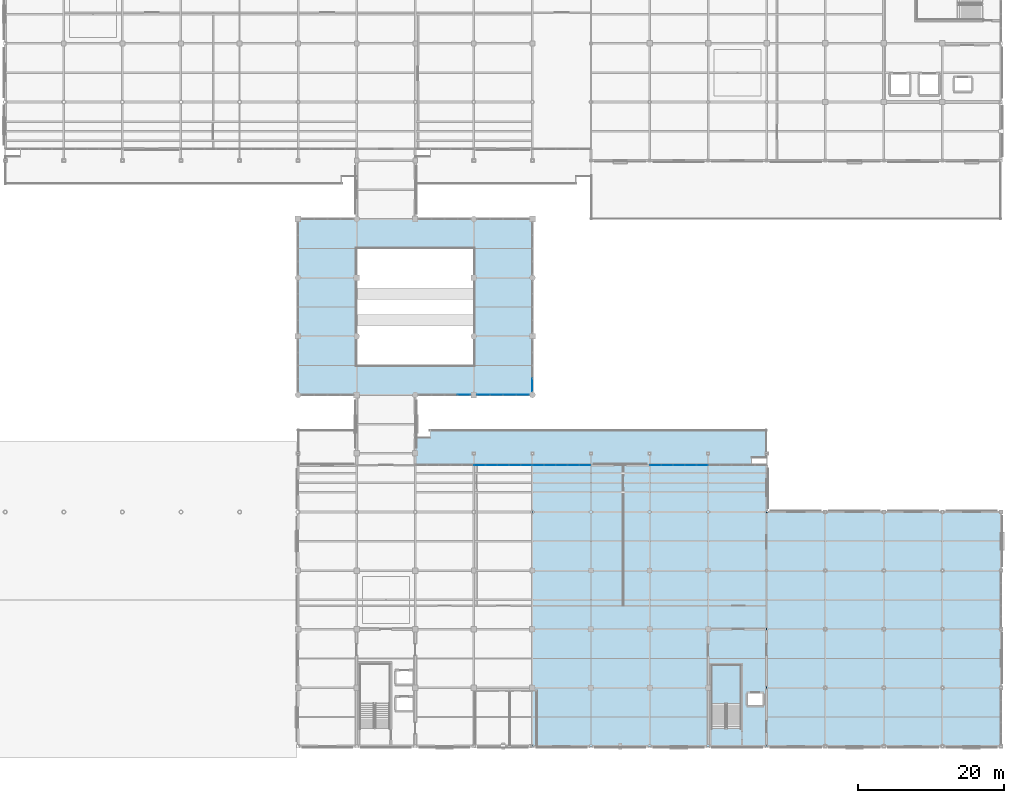
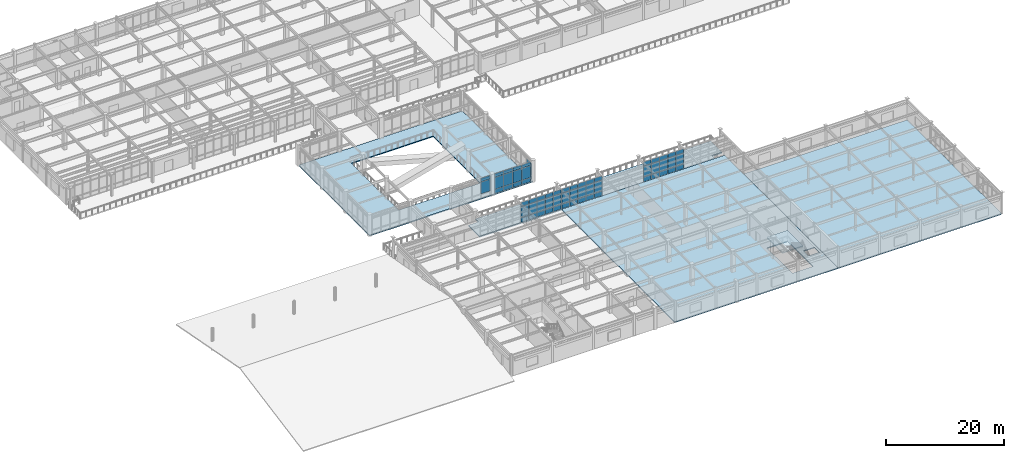
# One storey, part 75 of 111: 61 plates, 5 slabs, 7 elements without a shape of their own.
"""IFC4 building model written with IfcOpenShell, lengths in metres."""

import ifcopenshell
import ifcopenshell.guid

model = None  # the IFC model being written
_history = None  # IfcOwnerHistory: only IFC2X3 demands one
_inside = {}  # id of a spatial element -> (the spatial element, [elements in it])
_under = {}  # id of a project, library or spatial element -> (it, [spatial elements below it])
_declared = {}  # id of a project -> (the project, [libraries it declares])
_typed = {}  # id of a type object -> (the type object, [elements of that type])
_made_of = {}  # id of a material, layer set ... -> (it, [elements and type objects made of it])


def new_model(schema):
    """Start an empty IFC model of exactly this schema.

    Asked for "IFC4X3", IfcOpenShell would pick the latest addendum, in which some entities
    have other attributes; the version numbers below select the first issue.
    IFC2X3 requires an IfcOwnerHistory on every rooted entity: one is made here for all.
    """
    global model, _history
    if schema == "IFC4X3":
        model = ifcopenshell.file(schema_version=(4, 3, 0, 0))
    else:
        model = ifcopenshell.file(schema=schema)
    _inside.clear()
    _under.clear()
    _declared.clear()
    _typed.clear()
    _made_of.clear()
    _history = None
    if model.schema == "IFC2X3":
        org = make("IfcOrganization", Name="unknown")
        user = make(
            "IfcPersonAndOrganization",
            ThePerson=make("IfcPerson", FamilyName="unknown"),
            TheOrganization=org,
        )
        app = make(
            "IfcApplication",
            ApplicationDeveloper=org,
            Version="unknown",
            ApplicationFullName="unknown",
            ApplicationIdentifier="unknown",
        )
        _history = make(
            "IfcOwnerHistory",
            OwningUser=user,
            OwningApplication=app,
            ChangeAction="ADDED",
            CreationDate=0,
        )
    return model


def make(cls, **values):
    """One entity of the class cls with the attributes given. An attribute that is None is left unset."""
    return model.create_entity(
        cls, **{name: value for name, value in values.items() if value is not None}
    )


def rooted(cls, **values):
    """An entity with a GlobalId (a new one), such as an element, a storey or a relation."""
    return make(cls, GlobalId=ifcopenshell.guid.new(), OwnerHistory=_history, **values)


def si_unit(unit_type, name, prefix=None):
    """IfcSIUnit, for example si_unit("LENGTHUNIT", "METRE", prefix="MILLI")."""
    return make("IfcSIUnit", UnitType=unit_type, Prefix=prefix, Name=name)


def assignment(units):
    """IfcUnitAssignment: the units of a project."""
    return None if units is None else make("IfcUnitAssignment", Units=units)


def point(xyz):
    """IfcCartesianPoint."""
    return None if xyz is None else make("IfcCartesianPoint", Coordinates=xyz)


def direction(xyz):
    """IfcDirection."""
    return None if xyz is None else make("IfcDirection", DirectionRatios=xyz)


def frame(location, z_axis=None, x_axis=None):
    """IfcAxis2Placement3D, a coordinate frame: its origin and axes. An axis left out is left unset."""
    return make(
        "IfcAxis2Placement3D",
        Location=point(location),
        Axis=direction(z_axis),
        RefDirection=direction(x_axis),
    )


def frame_2d(location, x_axis=None):
    """IfcAxis2Placement2D, a coordinate frame in the plane: its origin and x axis."""
    return make(
        "IfcAxis2Placement2D", Location=point(location), RefDirection=direction(x_axis)
    )


def origin():
    """The frame at (0, 0, 0) with its axes left unset."""
    return frame((0.0, 0.0, 0.0))


def origin_2d():
    """The frame at (0, 0) in the plane with its x axis left unset."""
    return frame_2d((0.0, 0.0))


def place(relative_to, where):
    """IfcLocalPlacement: puts the frame where relative to a parent placement (None: the world)."""
    return make(
        "IfcLocalPlacement", PlacementRelTo=relative_to, RelativePlacement=where
    )


def context(
    kind, dimensions, precision=None, world=None, true_north=None, identifier=None
):
    """IfcGeometricRepresentationContext, for example the 3D "Model" context."""
    return make(
        "IfcGeometricRepresentationContext",
        ContextIdentifier=identifier,
        ContextType=kind,
        CoordinateSpaceDimension=dimensions,
        Precision=precision,
        WorldCoordinateSystem=world,
        TrueNorth=true_north,
    )


def subcontext(parent, identifier, kind, view, scale=None):
    """IfcGeometricRepresentationSubContext, for example "Body" below "Model"."""
    return make(
        "IfcGeometricRepresentationSubContext",
        ContextIdentifier=identifier,
        ContextType=kind,
        ParentContext=parent,
        TargetScale=scale,
        TargetView=view,
    )


def project(units=None, contexts=None):
    """IfcProject with its units and contexts."""
    return rooted(
        "IfcProject",
        Name="project",
        RepresentationContexts=contexts,
        UnitsInContext=assignment(units),
    )


def spatial(cls, under=None, at=None, **own):
    """A site, building, storey or space (cls), placed at a placement, below another one or the project."""
    s = rooted(cls, ObjectPlacement=at, **own)
    if under is not None:
        _under.setdefault(under.id(), (under, []))[1].append(s)
    return s


def polyline(points):
    """IfcPolyline through the points."""
    return make("IfcPolyline", Points=[point(p) for p in points])


def profile(cls, at=None, kind="AREA", **sizes):
    """A parametric profile (cls). Its sizes go by their IFC names, for example OverallWidth=200.0."""
    return make(cls, ProfileType=kind, Position=at, **sizes)


def rectangle(**sizes):
    """IfcRectangleProfileDef."""
    return profile("IfcRectangleProfileDef", **sizes)


def outline(outer, holes=None, kind="AREA"):
    """IfcArbitraryClosedProfileDef: a profile drawn as a closed curve; with holes, ...WithVoids."""
    if holes is None:
        return make("IfcArbitraryClosedProfileDef", ProfileType=kind, OuterCurve=outer)
    return make(
        "IfcArbitraryProfileDefWithVoids",
        ProfileType=kind,
        OuterCurve=outer,
        InnerCurves=holes,
    )


def extrude(swept, where, along, depth):
    """IfcExtrudedAreaSolid: the profile swept, set in the frame where, extruded along a direction by depth."""
    return make(
        "IfcExtrudedAreaSolid",
        SweptArea=swept,
        Position=where,
        ExtrudedDirection=direction(along),
        Depth=depth,
    )


def shape(context_of_items, identifier, shape_type, items):
    """IfcShapeRepresentation: the items that make up one representation, for example the "Body"."""
    return make(
        "IfcShapeRepresentation",
        ContextOfItems=context_of_items,
        RepresentationIdentifier=identifier,
        RepresentationType=shape_type,
        Items=items,
    )


def material(Name=None, Category=None):
    """IfcMaterial."""
    return make("IfcMaterial", Name=Name, Category=Category)


def layer(
    of_material, thickness, ventilated=None, Name=None, Category=None, Priority=None
):
    """IfcMaterialLayer: one layer of a wall or slab, of a material (None: an air gap)."""
    return make(
        "IfcMaterialLayer",
        Material=of_material,
        LayerThickness=thickness,
        IsVentilated=ventilated,
        Name=Name,
        Category=Category,
        Priority=Priority,
    )


def layer_set(layers, Name=None):
    """IfcMaterialLayerSet."""
    return make("IfcMaterialLayerSet", MaterialLayers=layers, LayerSetName=Name)


def made_of(thing, what):
    """Note that an element or type object is made of a material, layer set ...; save() writes the relation."""
    if what is not None:
        _made_of.setdefault(what.id(), (what, []))[1].append(thing)
    return thing


def type_object(cls, material=None, **own):
    """A type object (cls), such as IfcWallType, which elements share."""
    return made_of(rooted(cls, **own), material)


def element(
    cls,
    number,
    at=None,
    inside=None,
    cuts=None,
    type_object=None,
    material=None,
    context=None,
    identifier="Body",
    shape_type=None,
    held_by="IfcProductDefinitionShape",
    body=None,
    shapes=None,
    **own,
):
    """One element of the class cls, such as IfcWall. Its Tag is "e" and its number.

    at: its placement. inside: the storey or other place that contains it. cuts: it is an
    opening in that element (IfcRelVoidsElement). A single representation is given by context,
    identifier, shape_type and body (its items); several are given by shapes. held_by: the class
    of the entity that holds the representations. save() writes the other relations.
    """
    e = rooted(cls, Tag="e%d" % number, ObjectPlacement=at, **own)
    if body is not None:
        shapes = [shape(context, identifier, shape_type, body)]
    if shapes is not None:
        e.Representation = make(held_by, Representations=shapes)
    if inside is not None:
        _inside.setdefault(inside.id(), (inside, []))[1].append(e)
    if cuts is not None:
        rooted(
            "IfcRelVoidsElement", RelatingBuildingElement=cuts, RelatedOpeningElement=e
        )
    if type_object is not None:
        _typed.setdefault(type_object.id(), (type_object, []))[1].append(e)
    return made_of(e, material)


def aggregate(whole, parts):
    """IfcRelAggregates: a whole, such as a stair, and the parts it consists of."""
    return rooted("IfcRelAggregates", RelatingObject=whole, RelatedObjects=parts)


def save(model, path):
    """Write the relations noted so far, then the file.

    IfcRelAggregates (storeys below a building ...), IfcRelContainedInSpatialStructure (elements
    in a storey), IfcRelDefinesByType, IfcRelAssociatesMaterial and IfcRelDeclares: one each for
    every whole, place, type object, material and project.
    """
    for whole, parts in _under.values():
        aggregate(whole, parts)
    for where, things in _inside.values():
        rooted(
            "IfcRelContainedInSpatialStructure",
            RelatedElements=things,
            RelatingStructure=where,
        )
    for kind, things in _typed.values():
        rooted("IfcRelDefinesByType", RelatedObjects=things, RelatingType=kind)
    for what, things in _made_of.values():
        rooted("IfcRelAssociatesMaterial", RelatedObjects=things, RelatingMaterial=what)
    for by, libraries in _declared.values():
        rooted("IfcRelDeclares", RelatingContext=by, RelatedDefinitions=libraries)
    model.write(path)


model = new_model("IFC4")

# Units and contexts
model_context = context("Model", 3, precision=1e-05, world=origin(), true_north=direction((0.0, 1.0)))
body_context = subcontext(model_context, "Body", "Model", "MODEL_VIEW")
ifc_project = project(units=[si_unit("LENGTHUNIT", "METRE"), si_unit("AREAUNIT", "SQUARE_METRE"), si_unit("VOLUMEUNIT", "CUBIC_METRE"), si_unit("PLANEANGLEUNIT", "RADIAN"), si_unit("MASSUNIT", "GRAM", prefix="KILO")], contexts=[model_context])

# Site, building, storey
site_placement = place(None, origin())
site = spatial("IfcSite", under=ifc_project, at=site_placement, CompositionType="ELEMENT")
building_placement = place(site_placement, origin())
building = spatial("IfcBuilding", under=site, at=building_placement, Name="Solmirada Galleria", CompositionType="ELEMENT")
storey_placement = place(building_placement, frame((0.0, 0.0, 10.39990234375)))
storey = spatial("IfcBuildingStorey", under=building, at=storey_placement, Name="L02", CompositionType="ELEMENT", Elevation=10.39990234375)

# Curtain wall, plates
ifc_material_1 = material(Name="Impact-resistant low-E double glazing", Category="glass")
curtain_wall_type_1 = type_object("IfcCurtainWallType", Name="CW-FZ3-L02-B4-L072", PredefinedType="NOTDEFINED", material=ifc_material_1)
curtain_wall_1_placement = place(storey_placement, origin())
curtain_wall_1 = element("IfcCurtainWall", 1, at=curtain_wall_1_placement, inside=storey, type_object=curtain_wall_type_1, Name="Terrace and arcade storefront CW-L02-108", PredefinedType="NOTDEFINED")
ifc_layer_1 = layer(ifc_material_1, 0.028076171875)
ifc_layer_set_1 = layer_set([ifc_layer_1], Name="Impact-resistant low-E double glazing")
plate_type_1 = type_object("IfcPlateType", Name="CW-PNL-CW21-T28", PredefinedType="CURTAIN_PANEL", material=ifc_layer_set_1)
plate_1_placement = place(storey_placement, frame((112.0, 49.31787109375, 0.06494140625), z_axis=(0.0, 0.0, 1.0), x_axis=(0.0, -1.0, 0.0)))
plate_1 = element("IfcPlate", 2, at=plate_1_placement, type_object=plate_type_1, Name="CW21 panel 4.1", PredefinedType="CURTAIN_PANEL", context=body_context, shape_type="SweptSolid", body=[
    extrude(rectangle(XDim=1.701416015625, YDim=0.028076171875, at=origin_2d()), origin(), (0.0, 0.0, 1.0), 0.822509765625),
])
plate_2_placement = place(storey_placement, frame((112.0, 49.31787109375, 0.95263671875), z_axis=(0.0, 0.0, 1.0), x_axis=(0.0, -1.0, 0.0)))
plate_2 = element("IfcPlate", 3, at=plate_2_placement, type_object=plate_type_1, Name="CW21 panel 4.2", PredefinedType="CURTAIN_PANEL", context=body_context, shape_type="SweptSolid", body=[
    extrude(rectangle(XDim=1.701416015625, YDim=0.028076171875, at=origin_2d()), origin(), (0.0, 0.0, 1.0), 2.4150390625),
])
aggregate(curtain_wall_1, [plate_1, plate_2])

curtain_wall_2_placement = place(storey_placement, origin())
curtain_wall_2 = element("IfcCurtainWall", 4, at=curtain_wall_2_placement, inside=storey, type_object=curtain_wall_type_1, Name="Terrace and arcade storefront CW-L02-109", PredefinedType="NOTDEFINED")
plate_3_placement = place(storey_placement, frame((110.68212890625, 48.0, 0.06494140625), z_axis=(0.0, 0.0, 1.0), x_axis=(-1.0, 0.0, 0.0)))
plate_3 = element("IfcPlate", 5, at=plate_3_placement, type_object=plate_type_1, Name="CW21 panel 1.1", PredefinedType="CURTAIN_PANEL", context=body_context, shape_type="SweptSolid", body=[
    extrude(rectangle(XDim=1.701416015625, YDim=0.028076171875, at=origin_2d()), origin(), (0.0, 0.0, 1.0), 0.822509765625),
])
plate_4_placement = place(storey_placement, frame((110.68212890625, 48.0, 0.95263671875), z_axis=(0.0, 0.0, 1.0), x_axis=(-1.0, 0.0, 0.0)))
plate_4 = element("IfcPlate", 6, at=plate_4_placement, type_object=plate_type_1, Name="CW21 panel 1.2", PredefinedType="CURTAIN_PANEL", context=body_context, shape_type="SweptSolid", body=[
    extrude(rectangle(XDim=1.701416015625, YDim=0.028076171875, at=origin_2d()), origin(), (0.0, 0.0, 1.0), 2.4150390625),
])
plate_5_placement = place(storey_placement, frame((110.68212890625, 48.0, 3.4326171875), z_axis=(0.0, 0.0, 1.0), x_axis=(-1.0, 0.0, 0.0)))
plate_5 = element("IfcPlate", 7, at=plate_5_placement, type_object=plate_type_1, Name="CW21 panel 1.3", PredefinedType="CURTAIN_PANEL", context=body_context, shape_type="SweptSolid", body=[
    extrude(rectangle(XDim=1.701416015625, YDim=0.028076171875, at=origin_2d()), origin(), (0.0, 0.0, 1.0), 0.722412109375),
])
plate_6_placement = place(storey_placement, frame((108.8994140625, 48.0, 0.06494140625), z_axis=(0.0, 0.0, 1.0), x_axis=(-1.0, 0.0, 0.0)))
plate_6 = element("IfcPlate", 8, at=plate_6_placement, type_object=plate_type_1, Name="CW21 panel 2.1", PredefinedType="CURTAIN_PANEL", context=body_context, shape_type="SweptSolid", body=[
    extrude(rectangle(XDim=1.73388671875, YDim=0.028076171875, at=origin_2d()), origin(), (0.0, 0.0, 1.0), 0.822509765625),
])
plate_7_placement = place(storey_placement, frame((108.8994140625, 48.0, 0.95263671875), z_axis=(0.0, 0.0, 1.0), x_axis=(-1.0, 0.0, 0.0)))
plate_7 = element("IfcPlate", 9, at=plate_7_placement, type_object=plate_type_1, Name="CW21 panel 2.2", PredefinedType="CURTAIN_PANEL", context=body_context, shape_type="SweptSolid", body=[
    extrude(rectangle(XDim=1.73388671875, YDim=0.028076171875, at=origin_2d()), origin(), (0.0, 0.0, 1.0), 2.4150390625),
])
plate_8_placement = place(storey_placement, frame((108.8994140625, 48.0, 3.4326171875), z_axis=(0.0, 0.0, 1.0), x_axis=(-1.0, 0.0, 0.0)))
plate_8 = element("IfcPlate", 10, at=plate_8_placement, type_object=plate_type_1, Name="CW21 panel 2.3", PredefinedType="CURTAIN_PANEL", context=body_context, shape_type="SweptSolid", body=[
    extrude(rectangle(XDim=1.73388671875, YDim=0.028076171875, at=origin_2d()), origin(), (0.0, 0.0, 1.0), 0.722412109375),
])
plate_9_placement = place(storey_placement, frame((107.1005859375, 48.0, 0.06494140625), z_axis=(0.0, 0.0, 1.0), x_axis=(-1.0, 0.0, 0.0)))
plate_9 = element("IfcPlate", 11, at=plate_9_placement, type_object=plate_type_1, Name="CW21 panel 3.1", PredefinedType="CURTAIN_PANEL", context=body_context, shape_type="SweptSolid", body=[
    extrude(rectangle(XDim=1.73388671875, YDim=0.028076171875, at=origin_2d()), origin(), (0.0, 0.0, 1.0), 0.822509765625),
])
plate_10_placement = place(storey_placement, frame((107.1005859375, 48.0, 0.95263671875), z_axis=(0.0, 0.0, 1.0), x_axis=(-1.0, 0.0, 0.0)))
plate_10 = element("IfcPlate", 12, at=plate_10_placement, type_object=plate_type_1, Name="CW21 panel 3.2", PredefinedType="CURTAIN_PANEL", context=body_context, shape_type="SweptSolid", body=[
    extrude(rectangle(XDim=1.73388671875, YDim=0.028076171875, at=origin_2d()), origin(), (0.0, 0.0, 1.0), 2.4150390625),
])
plate_11_placement = place(storey_placement, frame((107.1005859375, 48.0, 3.4326171875), z_axis=(0.0, 0.0, 1.0), x_axis=(-1.0, 0.0, 0.0)))
plate_11 = element("IfcPlate", 13, at=plate_11_placement, type_object=plate_type_1, Name="CW21 panel 3.3", PredefinedType="CURTAIN_PANEL", context=body_context, shape_type="SweptSolid", body=[
    extrude(rectangle(XDim=1.73388671875, YDim=0.028076171875, at=origin_2d()), origin(), (0.0, 0.0, 1.0), 0.722412109375),
])
plate_12_placement = place(storey_placement, frame((105.31787109375, 48.0, 0.06494140625), z_axis=(0.0, 0.0, 1.0), x_axis=(-1.0, 0.0, 0.0)))
plate_12 = element("IfcPlate", 14, at=plate_12_placement, type_object=plate_type_1, Name="CW21 panel 4.1", PredefinedType="CURTAIN_PANEL", context=body_context, shape_type="SweptSolid", body=[
    extrude(rectangle(XDim=1.701416015625, YDim=0.028076171875, at=origin_2d()), origin(), (0.0, 0.0, 1.0), 0.822509765625),
])
plate_13_placement = place(storey_placement, frame((105.31787109375, 48.0, 0.95263671875), z_axis=(0.0, 0.0, 1.0), x_axis=(-1.0, 0.0, 0.0)))
plate_13 = element("IfcPlate", 15, at=plate_13_placement, type_object=plate_type_1, Name="CW21 panel 4.2", PredefinedType="CURTAIN_PANEL", context=body_context, shape_type="SweptSolid", body=[
    extrude(rectangle(XDim=1.701416015625, YDim=0.028076171875, at=origin_2d()), origin(), (0.0, 0.0, 1.0), 2.4150390625),
])
plate_14_placement = place(storey_placement, frame((105.31787109375, 48.0, 3.4326171875), z_axis=(0.0, 0.0, 1.0), x_axis=(-1.0, 0.0, 0.0)))
plate_14 = element("IfcPlate", 16, at=plate_14_placement, type_object=plate_type_1, Name="CW21 panel 4.3", PredefinedType="CURTAIN_PANEL", context=body_context, shape_type="SweptSolid", body=[
    extrude(rectangle(XDim=1.701416015625, YDim=0.028076171875, at=origin_2d()), origin(), (0.0, 0.0, 1.0), 0.722412109375),
])
aggregate(curtain_wall_2, [plate_3, plate_4, plate_5, plate_6, plate_7, plate_8, plate_9, plate_10, plate_11, plate_12, plate_13, plate_14])

curtain_wall_3_placement = place(storey_placement, origin())
curtain_wall_3 = element("IfcCurtainWall", 17, at=curtain_wall_3_placement, inside=storey, type_object=curtain_wall_type_1, Name="Terrace and arcade storefront CW-L02-110", PredefinedType="NOTDEFINED")
plate_15_placement = place(storey_placement, frame((102.68212890625, 48.0, 0.95263671875), z_axis=(0.0, 0.0, 1.0), x_axis=(-1.0, 0.0, 0.0)))
plate_15 = element("IfcPlate", 18, at=plate_15_placement, type_object=plate_type_1, Name="CW21 panel 1.2", PredefinedType="CURTAIN_PANEL", context=body_context, shape_type="SweptSolid", body=[
    extrude(rectangle(XDim=1.701416015625, YDim=0.028076171875, at=origin_2d()), origin(), (0.0, 0.0, 1.0), 2.4150390625),
])
plate_16_placement = place(storey_placement, frame((102.68212890625, 48.0, 3.4326171875), z_axis=(0.0, 0.0, 1.0), x_axis=(-1.0, 0.0, 0.0)))
plate_16 = element("IfcPlate", 19, at=plate_16_placement, type_object=plate_type_1, Name="CW21 panel 1.3", PredefinedType="CURTAIN_PANEL", context=body_context, shape_type="SweptSolid", body=[
    extrude(rectangle(XDim=1.701416015625, YDim=0.028076171875, at=origin_2d()), origin(), (0.0, 0.0, 1.0), 0.722412109375),
])
aggregate(curtain_wall_3, [plate_15, plate_16])

curtain_wall_type_2 = type_object("IfcCurtainWallType", Name="CW-FZ5-L02-B5-L080", PredefinedType="NOTDEFINED", material=ifc_material_1)
curtain_wall_4_placement = place(storey_placement, origin())
curtain_wall_4 = element("IfcCurtainWall", 20, at=curtain_wall_4_placement, inside=storey, type_object=curtain_wall_type_2, Name="Terrace and arcade storefront CW-L02-112", PredefinedType="NOTDEFINED")
ifc_material_2 = material(Name="Ceramic-fritted spandrel glass", Category="glass")
ifc_layer_2 = layer(ifc_material_2, 0.02392578125)
ifc_layer_set_2 = layer_set([ifc_layer_2], Name="Ceramic-fritted spandrel glass")
plate_type_2 = type_object("IfcPlateType", Name="CW-PNL-CW25-T24", PredefinedType="CURTAIN_PANEL", material=ifc_layer_set_2)
plate_17_placement = place(storey_placement, frame((104.816162109375, 38.39990234375, 0.065185546875), z_axis=(0.0, 0.0, 1.0), x_axis=(1.0, 0.0, 0.0)))
plate_17 = element("IfcPlate", 21, at=plate_17_placement, type_object=plate_type_2, Name="CW25 panel 1.1", PredefinedType="CURTAIN_PANEL", context=body_context, shape_type="SweptSolid", body=[
    extrude(rectangle(XDim=1.50244140625, YDim=0.02392578125, at=origin_2d()), origin(), (0.0, 0.0, 1.0), 0.9423828125),
])
plate_18_placement = place(storey_placement, frame((104.816162109375, 38.39990234375, 1.07275390625), z_axis=(0.0, 0.0, 1.0), x_axis=(1.0, 0.0, 0.0)))
plate_18 = element("IfcPlate", 22, at=plate_18_placement, type_object=plate_type_2, Name="CW25 panel 1.2", PredefinedType="CURTAIN_PANEL", context=body_context, shape_type="SweptSolid", body=[
    extrude(rectangle(XDim=1.50244140625, YDim=0.02392578125, at=origin_2d()), origin(), (0.0, 0.0, 1.0), 2.195068359375),
])
plate_19_placement = place(storey_placement, frame((104.816162109375, 38.39990234375, 3.33251953125), z_axis=(0.0, 0.0, 1.0), x_axis=(1.0, 0.0, 0.0)))
plate_19 = element("IfcPlate", 23, at=plate_19_placement, type_object=plate_type_2, Name="CW25 panel 1.3", PredefinedType="CURTAIN_PANEL", context=body_context, shape_type="SweptSolid", body=[
    extrude(rectangle(XDim=1.50244140625, YDim=0.02392578125, at=origin_2d()), origin(), (0.0, 0.0, 1.0), 0.822509765625),
])
plate_20_placement = place(storey_placement, frame((106.39990234375, 38.39990234375, 0.065185546875), z_axis=(0.0, 0.0, 1.0), x_axis=(1.0, 0.0, 0.0)))
plate_20 = element("IfcPlate", 24, at=plate_20_placement, type_object=plate_type_2, Name="CW25 panel 2.1", PredefinedType="CURTAIN_PANEL", context=body_context, shape_type="SweptSolid", body=[
    extrude(rectangle(XDim=1.534912109375, YDim=0.02392578125, at=origin_2d()), origin(), (0.0, 0.0, 1.0), 0.9423828125),
])
plate_21_placement = place(storey_placement, frame((106.39990234375, 38.39990234375, 1.07275390625), z_axis=(0.0, 0.0, 1.0), x_axis=(1.0, 0.0, 0.0)))
plate_21 = element("IfcPlate", 25, at=plate_21_placement, type_object=plate_type_2, Name="CW25 panel 2.2", PredefinedType="CURTAIN_PANEL", context=body_context, shape_type="SweptSolid", body=[
    extrude(rectangle(XDim=1.534912109375, YDim=0.02392578125, at=origin_2d()), origin(), (0.0, 0.0, 1.0), 2.195068359375),
])
plate_22_placement = place(storey_placement, frame((106.39990234375, 38.39990234375, 3.33251953125), z_axis=(0.0, 0.0, 1.0), x_axis=(1.0, 0.0, 0.0)))
plate_22 = element("IfcPlate", 26, at=plate_22_placement, type_object=plate_type_2, Name="CW25 panel 2.3", PredefinedType="CURTAIN_PANEL", context=body_context, shape_type="SweptSolid", body=[
    extrude(rectangle(XDim=1.534912109375, YDim=0.02392578125, at=origin_2d()), origin(), (0.0, 0.0, 1.0), 0.822509765625),
])
plate_23_placement = place(storey_placement, frame((108.0, 38.39990234375, 0.065185546875), z_axis=(0.0, 0.0, 1.0), x_axis=(1.0, 0.0, 0.0)))
plate_23 = element("IfcPlate", 27, at=plate_23_placement, type_object=plate_type_2, Name="CW25 panel 3.1", PredefinedType="CURTAIN_PANEL", context=body_context, shape_type="SweptSolid", body=[
    extrude(rectangle(XDim=1.534912109375, YDim=0.02392578125, at=origin_2d()), origin(), (0.0, 0.0, 1.0), 0.9423828125),
])
plate_24_placement = place(storey_placement, frame((108.0, 38.39990234375, 1.07275390625), z_axis=(0.0, 0.0, 1.0), x_axis=(1.0, 0.0, 0.0)))
plate_24 = element("IfcPlate", 28, at=plate_24_placement, type_object=plate_type_2, Name="CW25 panel 3.2", PredefinedType="CURTAIN_PANEL", context=body_context, shape_type="SweptSolid", body=[
    extrude(rectangle(XDim=1.534912109375, YDim=0.02392578125, at=origin_2d()), origin(), (0.0, 0.0, 1.0), 2.195068359375),
])
plate_25_placement = place(storey_placement, frame((108.0, 38.39990234375, 3.33251953125), z_axis=(0.0, 0.0, 1.0), x_axis=(1.0, 0.0, 0.0)))
plate_25 = element("IfcPlate", 29, at=plate_25_placement, type_object=plate_type_2, Name="CW25 panel 3.3", PredefinedType="CURTAIN_PANEL", context=body_context, shape_type="SweptSolid", body=[
    extrude(rectangle(XDim=1.534912109375, YDim=0.02392578125, at=origin_2d()), origin(), (0.0, 0.0, 1.0), 0.822509765625),
])
plate_26_placement = place(storey_placement, frame((109.60009765625, 38.39990234375, 0.065185546875), z_axis=(0.0, 0.0, 1.0), x_axis=(1.0, 0.0, 0.0)))
plate_26 = element("IfcPlate", 30, at=plate_26_placement, type_object=plate_type_2, Name="CW25 panel 4.1", PredefinedType="CURTAIN_PANEL", context=body_context, shape_type="SweptSolid", body=[
    extrude(rectangle(XDim=1.534912109375, YDim=0.02392578125, at=origin_2d()), origin(), (0.0, 0.0, 1.0), 0.9423828125),
])
plate_27_placement = place(storey_placement, frame((109.60009765625, 38.39990234375, 1.07275390625), z_axis=(0.0, 0.0, 1.0), x_axis=(1.0, 0.0, 0.0)))
plate_27 = element("IfcPlate", 31, at=plate_27_placement, type_object=plate_type_2, Name="CW25 panel 4.2", PredefinedType="CURTAIN_PANEL", context=body_context, shape_type="SweptSolid", body=[
    extrude(rectangle(XDim=1.534912109375, YDim=0.02392578125, at=origin_2d()), origin(), (0.0, 0.0, 1.0), 2.195068359375),
])
plate_28_placement = place(storey_placement, frame((109.60009765625, 38.39990234375, 3.33251953125), z_axis=(0.0, 0.0, 1.0), x_axis=(1.0, 0.0, 0.0)))
plate_28 = element("IfcPlate", 32, at=plate_28_placement, type_object=plate_type_2, Name="CW25 panel 4.3", PredefinedType="CURTAIN_PANEL", context=body_context, shape_type="SweptSolid", body=[
    extrude(rectangle(XDim=1.534912109375, YDim=0.02392578125, at=origin_2d()), origin(), (0.0, 0.0, 1.0), 0.822509765625),
])
plate_29_placement = place(storey_placement, frame((111.183837890625, 38.39990234375, 0.065185546875), z_axis=(0.0, 0.0, 1.0), x_axis=(1.0, 0.0, 0.0)))
plate_29 = element("IfcPlate", 33, at=plate_29_placement, type_object=plate_type_2, Name="CW25 panel 5.1", PredefinedType="CURTAIN_PANEL", context=body_context, shape_type="SweptSolid", body=[
    extrude(rectangle(XDim=1.50244140625, YDim=0.02392578125, at=origin_2d()), origin(), (0.0, 0.0, 1.0), 0.9423828125),
])
plate_30_placement = place(storey_placement, frame((111.183837890625, 38.39990234375, 1.07275390625), z_axis=(0.0, 0.0, 1.0), x_axis=(1.0, 0.0, 0.0)))
plate_30 = element("IfcPlate", 34, at=plate_30_placement, type_object=plate_type_2, Name="CW25 panel 5.2", PredefinedType="CURTAIN_PANEL", context=body_context, shape_type="SweptSolid", body=[
    extrude(rectangle(XDim=1.50244140625, YDim=0.02392578125, at=origin_2d()), origin(), (0.0, 0.0, 1.0), 2.195068359375),
])
plate_31_placement = place(storey_placement, frame((111.183837890625, 38.39990234375, 3.33251953125), z_axis=(0.0, 0.0, 1.0), x_axis=(1.0, 0.0, 0.0)))
plate_31 = element("IfcPlate", 35, at=plate_31_placement, type_object=plate_type_2, Name="CW25 panel 5.3", PredefinedType="CURTAIN_PANEL", context=body_context, shape_type="SweptSolid", body=[
    extrude(rectangle(XDim=1.50244140625, YDim=0.02392578125, at=origin_2d()), origin(), (0.0, 0.0, 1.0), 0.822509765625),
])
aggregate(curtain_wall_4, [plate_17, plate_18, plate_19, plate_20, plate_21, plate_22, plate_23, plate_24, plate_25, plate_26, plate_27, plate_28, plate_29, plate_30, plate_31])

curtain_wall_5_placement = place(storey_placement, origin())
curtain_wall_5 = element("IfcCurtainWall", 36, at=curtain_wall_5_placement, inside=storey, type_object=curtain_wall_type_2, Name="Terrace and arcade storefront CW-L02-113", PredefinedType="NOTDEFINED")
plate_32_placement = place(storey_placement, frame((112.816162109375, 38.39990234375, 0.065185546875), z_axis=(0.0, 0.0, 1.0), x_axis=(1.0, 0.0, 0.0)))
plate_32 = element("IfcPlate", 37, at=plate_32_placement, type_object=plate_type_2, Name="CW25 panel 1.1", PredefinedType="CURTAIN_PANEL", context=body_context, shape_type="SweptSolid", body=[
    extrude(rectangle(XDim=1.50244140625, YDim=0.02392578125, at=origin_2d()), origin(), (0.0, 0.0, 1.0), 0.9423828125),
])
plate_33_placement = place(storey_placement, frame((112.816162109375, 38.39990234375, 1.07275390625), z_axis=(0.0, 0.0, 1.0), x_axis=(1.0, 0.0, 0.0)))
plate_33 = element("IfcPlate", 38, at=plate_33_placement, type_object=plate_type_2, Name="CW25 panel 1.2", PredefinedType="CURTAIN_PANEL", context=body_context, shape_type="SweptSolid", body=[
    extrude(rectangle(XDim=1.50244140625, YDim=0.02392578125, at=origin_2d()), origin(), (0.0, 0.0, 1.0), 2.195068359375),
])
plate_34_placement = place(storey_placement, frame((112.816162109375, 38.39990234375, 3.33251953125), z_axis=(0.0, 0.0, 1.0), x_axis=(1.0, 0.0, 0.0)))
plate_34 = element("IfcPlate", 39, at=plate_34_placement, type_object=plate_type_2, Name="CW25 panel 1.3", PredefinedType="CURTAIN_PANEL", context=body_context, shape_type="SweptSolid", body=[
    extrude(rectangle(XDim=1.50244140625, YDim=0.02392578125, at=origin_2d()), origin(), (0.0, 0.0, 1.0), 0.822509765625),
])
plate_35_placement = place(storey_placement, frame((114.39990234375, 38.39990234375, 0.065185546875), z_axis=(0.0, 0.0, 1.0), x_axis=(1.0, 0.0, 0.0)))
plate_35 = element("IfcPlate", 40, at=plate_35_placement, type_object=plate_type_2, Name="CW25 panel 2.1", PredefinedType="CURTAIN_PANEL", context=body_context, shape_type="SweptSolid", body=[
    extrude(rectangle(XDim=1.534912109375, YDim=0.02392578125, at=origin_2d()), origin(), (0.0, 0.0, 1.0), 0.9423828125),
])
plate_36_placement = place(storey_placement, frame((114.39990234375, 38.39990234375, 1.07275390625), z_axis=(0.0, 0.0, 1.0), x_axis=(1.0, 0.0, 0.0)))
plate_36 = element("IfcPlate", 41, at=plate_36_placement, type_object=plate_type_2, Name="CW25 panel 2.2", PredefinedType="CURTAIN_PANEL", context=body_context, shape_type="SweptSolid", body=[
    extrude(rectangle(XDim=1.534912109375, YDim=0.02392578125, at=origin_2d()), origin(), (0.0, 0.0, 1.0), 2.195068359375),
])
plate_37_placement = place(storey_placement, frame((114.39990234375, 38.39990234375, 3.33251953125), z_axis=(0.0, 0.0, 1.0), x_axis=(1.0, 0.0, 0.0)))
plate_37 = element("IfcPlate", 42, at=plate_37_placement, type_object=plate_type_2, Name="CW25 panel 2.3", PredefinedType="CURTAIN_PANEL", context=body_context, shape_type="SweptSolid", body=[
    extrude(rectangle(XDim=1.534912109375, YDim=0.02392578125, at=origin_2d()), origin(), (0.0, 0.0, 1.0), 0.822509765625),
])
plate_38_placement = place(storey_placement, frame((116.0, 38.39990234375, 0.065185546875), z_axis=(0.0, 0.0, 1.0), x_axis=(1.0, 0.0, 0.0)))
plate_38 = element("IfcPlate", 43, at=plate_38_placement, type_object=plate_type_2, Name="CW25 panel 3.1", PredefinedType="CURTAIN_PANEL", context=body_context, shape_type="SweptSolid", body=[
    extrude(rectangle(XDim=1.534912109375, YDim=0.02392578125, at=origin_2d()), origin(), (0.0, 0.0, 1.0), 0.9423828125),
])
plate_39_placement = place(storey_placement, frame((116.0, 38.39990234375, 1.07275390625), z_axis=(0.0, 0.0, 1.0), x_axis=(1.0, 0.0, 0.0)))
plate_39 = element("IfcPlate", 44, at=plate_39_placement, type_object=plate_type_2, Name="CW25 panel 3.2", PredefinedType="CURTAIN_PANEL", context=body_context, shape_type="SweptSolid", body=[
    extrude(rectangle(XDim=1.534912109375, YDim=0.02392578125, at=origin_2d()), origin(), (0.0, 0.0, 1.0), 2.195068359375),
])
plate_40_placement = place(storey_placement, frame((116.0, 38.39990234375, 3.33251953125), z_axis=(0.0, 0.0, 1.0), x_axis=(1.0, 0.0, 0.0)))
plate_40 = element("IfcPlate", 45, at=plate_40_placement, type_object=plate_type_2, Name="CW25 panel 3.3", PredefinedType="CURTAIN_PANEL", context=body_context, shape_type="SweptSolid", body=[
    extrude(rectangle(XDim=1.534912109375, YDim=0.02392578125, at=origin_2d()), origin(), (0.0, 0.0, 1.0), 0.822509765625),
])
plate_41_placement = place(storey_placement, frame((117.60009765625, 38.39990234375, 0.065185546875), z_axis=(0.0, 0.0, 1.0), x_axis=(1.0, 0.0, 0.0)))
plate_41 = element("IfcPlate", 46, at=plate_41_placement, type_object=plate_type_2, Name="CW25 panel 4.1", PredefinedType="CURTAIN_PANEL", context=body_context, shape_type="SweptSolid", body=[
    extrude(rectangle(XDim=1.534912109375, YDim=0.02392578125, at=origin_2d()), origin(), (0.0, 0.0, 1.0), 0.9423828125),
])
plate_42_placement = place(storey_placement, frame((117.60009765625, 38.39990234375, 1.07275390625), z_axis=(0.0, 0.0, 1.0), x_axis=(1.0, 0.0, 0.0)))
plate_42 = element("IfcPlate", 47, at=plate_42_placement, type_object=plate_type_2, Name="CW25 panel 4.2", PredefinedType="CURTAIN_PANEL", context=body_context, shape_type="SweptSolid", body=[
    extrude(rectangle(XDim=1.534912109375, YDim=0.02392578125, at=origin_2d()), origin(), (0.0, 0.0, 1.0), 2.195068359375),
])
plate_43_placement = place(storey_placement, frame((117.60009765625, 38.39990234375, 3.33251953125), z_axis=(0.0, 0.0, 1.0), x_axis=(1.0, 0.0, 0.0)))
plate_43 = element("IfcPlate", 48, at=plate_43_placement, type_object=plate_type_2, Name="CW25 panel 4.3", PredefinedType="CURTAIN_PANEL", context=body_context, shape_type="SweptSolid", body=[
    extrude(rectangle(XDim=1.534912109375, YDim=0.02392578125, at=origin_2d()), origin(), (0.0, 0.0, 1.0), 0.822509765625),
])
plate_44_placement = place(storey_placement, frame((119.183837890625, 38.39990234375, 0.065185546875), z_axis=(0.0, 0.0, 1.0), x_axis=(1.0, 0.0, 0.0)))
plate_44 = element("IfcPlate", 49, at=plate_44_placement, type_object=plate_type_2, Name="CW25 panel 5.1", PredefinedType="CURTAIN_PANEL", context=body_context, shape_type="SweptSolid", body=[
    extrude(rectangle(XDim=1.50244140625, YDim=0.02392578125, at=origin_2d()), origin(), (0.0, 0.0, 1.0), 0.9423828125),
])
plate_45_placement = place(storey_placement, frame((119.183837890625, 38.39990234375, 1.07275390625), z_axis=(0.0, 0.0, 1.0), x_axis=(1.0, 0.0, 0.0)))
plate_45 = element("IfcPlate", 50, at=plate_45_placement, type_object=plate_type_2, Name="CW25 panel 5.2", PredefinedType="CURTAIN_PANEL", context=body_context, shape_type="SweptSolid", body=[
    extrude(rectangle(XDim=1.50244140625, YDim=0.02392578125, at=origin_2d()), origin(), (0.0, 0.0, 1.0), 2.195068359375),
])
plate_46_placement = place(storey_placement, frame((119.183837890625, 38.39990234375, 3.33251953125), z_axis=(0.0, 0.0, 1.0), x_axis=(1.0, 0.0, 0.0)))
plate_46 = element("IfcPlate", 51, at=plate_46_placement, type_object=plate_type_2, Name="CW25 panel 5.3", PredefinedType="CURTAIN_PANEL", context=body_context, shape_type="SweptSolid", body=[
    extrude(rectangle(XDim=1.50244140625, YDim=0.02392578125, at=origin_2d()), origin(), (0.0, 0.0, 1.0), 0.822509765625),
])
aggregate(curtain_wall_5, [plate_32, plate_33, plate_34, plate_35, plate_36, plate_37, plate_38, plate_39, plate_40, plate_41, plate_42, plate_43, plate_44, plate_45, plate_46])

curtain_wall_6_placement = place(storey_placement, origin())
curtain_wall_6 = element("IfcCurtainWall", 52, at=curtain_wall_6_placement, inside=storey, type_object=curtain_wall_type_2, Name="Terrace and arcade storefront CW-L02-114", PredefinedType="NOTDEFINED")
plate_47_placement = place(storey_placement, frame((128.816162109375, 38.39990234375, 0.065185546875), z_axis=(0.0, 0.0, 1.0), x_axis=(1.0, 0.0, 0.0)))
plate_47 = element("IfcPlate", 53, at=plate_47_placement, type_object=plate_type_2, Name="CW25 panel 1.1", PredefinedType="CURTAIN_PANEL", context=body_context, shape_type="SweptSolid", body=[
    extrude(rectangle(XDim=1.50244140625, YDim=0.02392578125, at=origin_2d()), origin(), (0.0, 0.0, 1.0), 0.9423828125),
])
plate_48_placement = place(storey_placement, frame((128.816162109375, 38.39990234375, 1.07275390625), z_axis=(0.0, 0.0, 1.0), x_axis=(1.0, 0.0, 0.0)))
plate_48 = element("IfcPlate", 54, at=plate_48_placement, type_object=plate_type_2, Name="CW25 panel 1.2", PredefinedType="CURTAIN_PANEL", context=body_context, shape_type="SweptSolid", body=[
    extrude(rectangle(XDim=1.50244140625, YDim=0.02392578125, at=origin_2d()), origin(), (0.0, 0.0, 1.0), 2.195068359375),
])
plate_49_placement = place(storey_placement, frame((128.816162109375, 38.39990234375, 3.33251953125), z_axis=(0.0, 0.0, 1.0), x_axis=(1.0, 0.0, 0.0)))
plate_49 = element("IfcPlate", 55, at=plate_49_placement, type_object=plate_type_2, Name="CW25 panel 1.3", PredefinedType="CURTAIN_PANEL", context=body_context, shape_type="SweptSolid", body=[
    extrude(rectangle(XDim=1.50244140625, YDim=0.02392578125, at=origin_2d()), origin(), (0.0, 0.0, 1.0), 0.822509765625),
])
plate_50_placement = place(storey_placement, frame((130.39990234375, 38.39990234375, 0.065185546875), z_axis=(0.0, 0.0, 1.0), x_axis=(1.0, 0.0, 0.0)))
plate_50 = element("IfcPlate", 56, at=plate_50_placement, type_object=plate_type_2, Name="CW25 panel 2.1", PredefinedType="CURTAIN_PANEL", context=body_context, shape_type="SweptSolid", body=[
    extrude(rectangle(XDim=1.534912109375, YDim=0.02392578125, at=origin_2d()), origin(), (0.0, 0.0, 1.0), 0.9423828125),
])
plate_51_placement = place(storey_placement, frame((130.39990234375, 38.39990234375, 1.07275390625), z_axis=(0.0, 0.0, 1.0), x_axis=(1.0, 0.0, 0.0)))
plate_51 = element("IfcPlate", 57, at=plate_51_placement, type_object=plate_type_2, Name="CW25 panel 2.2", PredefinedType="CURTAIN_PANEL", context=body_context, shape_type="SweptSolid", body=[
    extrude(rectangle(XDim=1.534912109375, YDim=0.02392578125, at=origin_2d()), origin(), (0.0, 0.0, 1.0), 2.195068359375),
])
plate_52_placement = place(storey_placement, frame((130.39990234375, 38.39990234375, 3.33251953125), z_axis=(0.0, 0.0, 1.0), x_axis=(1.0, 0.0, 0.0)))
plate_52 = element("IfcPlate", 58, at=plate_52_placement, type_object=plate_type_2, Name="CW25 panel 2.3", PredefinedType="CURTAIN_PANEL", context=body_context, shape_type="SweptSolid", body=[
    extrude(rectangle(XDim=1.534912109375, YDim=0.02392578125, at=origin_2d()), origin(), (0.0, 0.0, 1.0), 0.822509765625),
])
plate_53_placement = place(storey_placement, frame((132.0, 38.39990234375, 0.065185546875), z_axis=(0.0, 0.0, 1.0), x_axis=(1.0, 0.0, 0.0)))
plate_53 = element("IfcPlate", 59, at=plate_53_placement, type_object=plate_type_2, Name="CW25 panel 3.1", PredefinedType="CURTAIN_PANEL", context=body_context, shape_type="SweptSolid", body=[
    extrude(rectangle(XDim=1.534912109375, YDim=0.02392578125, at=origin_2d()), origin(), (0.0, 0.0, 1.0), 0.9423828125),
])
plate_54_placement = place(storey_placement, frame((132.0, 38.39990234375, 1.07275390625), z_axis=(0.0, 0.0, 1.0), x_axis=(1.0, 0.0, 0.0)))
plate_54 = element("IfcPlate", 60, at=plate_54_placement, type_object=plate_type_2, Name="CW25 panel 3.2", PredefinedType="CURTAIN_PANEL", context=body_context, shape_type="SweptSolid", body=[
    extrude(rectangle(XDim=1.534912109375, YDim=0.02392578125, at=origin_2d()), origin(), (0.0, 0.0, 1.0), 2.195068359375),
])
plate_55_placement = place(storey_placement, frame((132.0, 38.39990234375, 3.33251953125), z_axis=(0.0, 0.0, 1.0), x_axis=(1.0, 0.0, 0.0)))
plate_55 = element("IfcPlate", 61, at=plate_55_placement, type_object=plate_type_2, Name="CW25 panel 3.3", PredefinedType="CURTAIN_PANEL", context=body_context, shape_type="SweptSolid", body=[
    extrude(rectangle(XDim=1.534912109375, YDim=0.02392578125, at=origin_2d()), origin(), (0.0, 0.0, 1.0), 0.822509765625),
])
plate_56_placement = place(storey_placement, frame((133.60009765625, 38.39990234375, 0.065185546875), z_axis=(0.0, 0.0, 1.0), x_axis=(1.0, 0.0, 0.0)))
plate_56 = element("IfcPlate", 62, at=plate_56_placement, type_object=plate_type_2, Name="CW25 panel 4.1", PredefinedType="CURTAIN_PANEL", context=body_context, shape_type="SweptSolid", body=[
    extrude(rectangle(XDim=1.534912109375, YDim=0.02392578125, at=origin_2d()), origin(), (0.0, 0.0, 1.0), 0.9423828125),
])
plate_57_placement = place(storey_placement, frame((133.60009765625, 38.39990234375, 1.07275390625), z_axis=(0.0, 0.0, 1.0), x_axis=(1.0, 0.0, 0.0)))
plate_57 = element("IfcPlate", 63, at=plate_57_placement, type_object=plate_type_2, Name="CW25 panel 4.2", PredefinedType="CURTAIN_PANEL", context=body_context, shape_type="SweptSolid", body=[
    extrude(rectangle(XDim=1.534912109375, YDim=0.02392578125, at=origin_2d()), origin(), (0.0, 0.0, 1.0), 2.195068359375),
])
plate_58_placement = place(storey_placement, frame((133.60009765625, 38.39990234375, 3.33251953125), z_axis=(0.0, 0.0, 1.0), x_axis=(1.0, 0.0, 0.0)))
plate_58 = element("IfcPlate", 64, at=plate_58_placement, type_object=plate_type_2, Name="CW25 panel 4.3", PredefinedType="CURTAIN_PANEL", context=body_context, shape_type="SweptSolid", body=[
    extrude(rectangle(XDim=1.534912109375, YDim=0.02392578125, at=origin_2d()), origin(), (0.0, 0.0, 1.0), 0.822509765625),
])
plate_59_placement = place(storey_placement, frame((135.183837890625, 38.39990234375, 0.065185546875), z_axis=(0.0, 0.0, 1.0), x_axis=(1.0, 0.0, 0.0)))
plate_59 = element("IfcPlate", 65, at=plate_59_placement, type_object=plate_type_2, Name="CW25 panel 5.1", PredefinedType="CURTAIN_PANEL", context=body_context, shape_type="SweptSolid", body=[
    extrude(rectangle(XDim=1.50244140625, YDim=0.02392578125, at=origin_2d()), origin(), (0.0, 0.0, 1.0), 0.9423828125),
])
plate_60_placement = place(storey_placement, frame((135.183837890625, 38.39990234375, 1.07275390625), z_axis=(0.0, 0.0, 1.0), x_axis=(1.0, 0.0, 0.0)))
plate_60 = element("IfcPlate", 66, at=plate_60_placement, type_object=plate_type_2, Name="CW25 panel 5.2", PredefinedType="CURTAIN_PANEL", context=body_context, shape_type="SweptSolid", body=[
    extrude(rectangle(XDim=1.50244140625, YDim=0.02392578125, at=origin_2d()), origin(), (0.0, 0.0, 1.0), 2.195068359375),
])
plate_61_placement = place(storey_placement, frame((135.183837890625, 38.39990234375, 3.33251953125), z_axis=(0.0, 0.0, 1.0), x_axis=(1.0, 0.0, 0.0)))
plate_61 = element("IfcPlate", 67, at=plate_61_placement, type_object=plate_type_2, Name="CW25 panel 5.3", PredefinedType="CURTAIN_PANEL", context=body_context, shape_type="SweptSolid", body=[
    extrude(rectangle(XDim=1.50244140625, YDim=0.02392578125, at=origin_2d()), origin(), (0.0, 0.0, 1.0), 0.822509765625),
])
aggregate(curtain_wall_6, [plate_47, plate_48, plate_49, plate_50, plate_51, plate_52, plate_53, plate_54, plate_55, plate_56, plate_57, plate_58, plate_59, plate_60, plate_61])

# Slabs
ifc_material_3 = material(Name="Concrete C35/45", Category="concrete")
ifc_layer_3 = layer(ifc_material_3, 0.199951171875)
ifc_layer_set_3 = layer_set([ifc_layer_3], Name="Concrete C35/45")
slab_type_1 = type_object("IfcSlabType", Name="SLB-FLOOR-200", PredefinedType="FLOOR", material=ifc_layer_set_3)
slab_1_placement = place(storey_placement, frame((0.0, 0.0, -0.199951171875)))
element("IfcSlab", 68, at=slab_1_placement, inside=storey, type_object=slab_type_1, Name="Slab L02-SOUTH-E", PredefinedType="FLOOR", context=body_context, shape_type="SweptSolid", body=[
    extrude(outline(polyline([(112.0, 0.0), (144.0, 0.0), (144.0, 38.39990234375), (112.0, 38.39990234375), (112.0, 0.0)]), holes=[polyline([(136.449951171875, 2.449951171875), (140.5, 2.449951171875), (140.5, 11.10009765625), (136.449951171875, 11.10009765625), (136.449951171875, 2.449951171875)]), polyline([(141.375, 5.550048828125), (143.52490234375, 5.550048828125), (143.52490234375, 7.25), (141.375, 7.25), (141.375, 5.550048828125)])]), origin(), (0.0, 0.0, 1.0), 0.199951171875),
])
slab_2_placement = place(storey_placement, frame((0.0, 0.0, -0.199951171875)))
element("IfcSlab", 69, at=slab_2_placement, inside=storey, type_object=slab_type_1, Name="Slab L02-ATRIUM", PredefinedType="FLOOR", context=body_context, shape_type="SweptSolid", body=[
    extrude(outline(polyline([(80.0, 48.0), (112.0, 48.0), (112.0, 72.0), (80.0, 72.0), (80.0, 48.0)]), holes=[polyline([(88.0, 52.0), (104.0, 52.0), (104.0, 68.0), (88.0, 68.0), (88.0, 52.0)])]), origin(), (0.0, 0.0, 1.0), 0.199951171875),
])
slab_3_placement = place(storey_placement, frame((0.0, 0.0, -0.199951171875)))
element("IfcSlab", 70, at=slab_3_placement, inside=storey, type_object=slab_type_1, Name="Slab L02-EAST-RET", PredefinedType="FLOOR", context=body_context, shape_type="SweptSolid", body=[
    extrude(outline(polyline([(144.0, 0.0), (176.0, 0.0), (176.0, 32.0), (144.0, 32.0), (144.0, 0.0)])), origin(), (0.0, 0.0, 1.0), 0.199951171875),
])

# Stair, slab
stair_type = type_object("IfcStairType", Name="STR-DOG-195-H45", PredefinedType="HALF_TURN_STAIR", material=ifc_material_3)
stair_placement = place(storey_placement, origin())
stair = element("IfcStair", 71, at=stair_placement, inside=storey, type_object=stair_type, Name="L02 Southeast Podium Core Exit Stair ST6", PredefinedType="HALF_TURN_STAIR")
ifc_layer_4 = layer(ifc_material_3, 0.199951171875)
ifc_layer_set_4 = layer_set([ifc_layer_4], Name="Concrete C35/45")
slab_type_2 = type_object("IfcSlabType", Name="SLB-LAND-200", PredefinedType="LANDING", material=ifc_layer_set_4)
slab_4_placement = place(storey_placement, frame((0.0, 0.0, 2.050048828125)))
slab_4 = element("IfcSlab", 72, at=slab_4_placement, type_object=slab_type_2, Name="ST6 landing 1", PredefinedType="LANDING", context=body_context, shape_type="SweptSolid", body=[
    extrude(outline(polyline([(140.5, 5.81005859375), (140.5, 11.10009765625), (136.449951171875, 11.10009765625), (136.449951171875, 5.81005859375), (140.5, 5.81005859375)])), origin(), (0.0, 0.0, 1.0), 0.199951171875),
])
aggregate(stair, [slab_4])

# Slab
ifc_layer_5 = layer(ifc_material_3, 0.239990234375)
ifc_layer_set_5 = layer_set([ifc_layer_5], Name="Concrete C35/45")
slab_type_3 = type_object("IfcSlabType", Name="SLB-TERR-240", PredefinedType="FLOOR", material=ifc_layer_set_5)
slab_5_placement = place(storey_placement, frame((0.0, 0.0, -0.239990234375)))
element("IfcSlab", 73, at=slab_5_placement, inside=storey, type_object=slab_type_3, Name="Slab L02-TERR-SE", PredefinedType="FLOOR", context=body_context, shape_type="SweptSolid", body=[
    extrude(outline(polyline([(96.0, 38.39990234375), (142.0, 38.39990234375), (142.0, 39.39990234375), (144.0, 39.39990234375), (144.0, 43.199951171875), (98.0, 43.199951171875), (98.0, 42.199951171875), (96.0, 42.199951171875), (96.0, 38.39990234375)])), origin(), (0.0, 0.0, 1.0), 0.239990234375),
])

save(model, "model.ifc")
